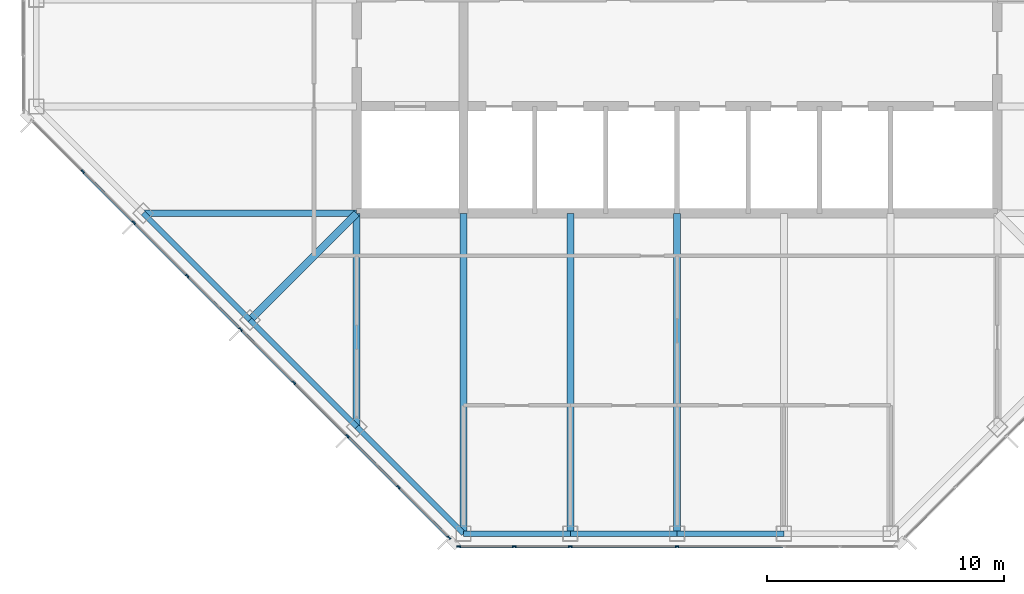
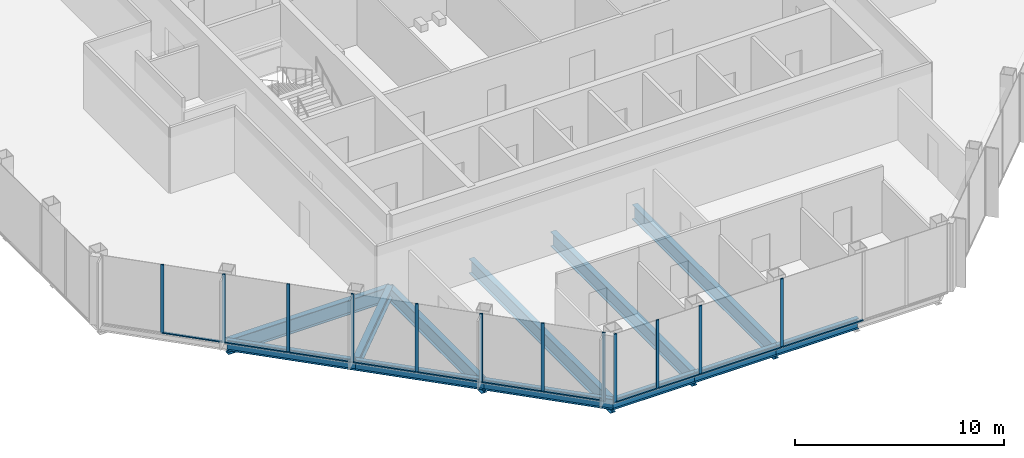
# One storey, part 2 of 14: 23 members, 12 beams, 2 elements without a shape of their own.
"""IFC4 building model written with IfcOpenShell, lengths in metres."""

import ifcopenshell
import ifcopenshell.guid

model = None  # the IFC model being written
_history = None  # IfcOwnerHistory: only IFC2X3 demands one
_inside = {}  # id of a spatial element -> (the spatial element, [elements in it])
_under = {}  # id of a project, library or spatial element -> (it, [spatial elements below it])
_declared = {}  # id of a project -> (the project, [libraries it declares])
_typed = {}  # id of a type object -> (the type object, [elements of that type])
_made_of = {}  # id of a material, layer set ... -> (it, [elements and type objects made of it])


def new_model(schema):
    """Start an empty IFC model of exactly this schema.

    Asked for "IFC4X3", IfcOpenShell would pick the latest addendum, in which some entities
    have other attributes; the version numbers below select the first issue.
    IFC2X3 requires an IfcOwnerHistory on every rooted entity: one is made here for all.
    """
    global model, _history
    if schema == "IFC4X3":
        model = ifcopenshell.file(schema_version=(4, 3, 0, 0))
    else:
        model = ifcopenshell.file(schema=schema)
    _inside.clear()
    _under.clear()
    _declared.clear()
    _typed.clear()
    _made_of.clear()
    _history = None
    if model.schema == "IFC2X3":
        org = make("IfcOrganization", Name="unknown")
        user = make(
            "IfcPersonAndOrganization",
            ThePerson=make("IfcPerson", FamilyName="unknown"),
            TheOrganization=org,
        )
        app = make(
            "IfcApplication",
            ApplicationDeveloper=org,
            Version="unknown",
            ApplicationFullName="unknown",
            ApplicationIdentifier="unknown",
        )
        _history = make(
            "IfcOwnerHistory",
            OwningUser=user,
            OwningApplication=app,
            ChangeAction="ADDED",
            CreationDate=0,
        )
    return model


def make(cls, **values):
    """One entity of the class cls with the attributes given. An attribute that is None is left unset."""
    return model.create_entity(
        cls, **{name: value for name, value in values.items() if value is not None}
    )


def rooted(cls, **values):
    """An entity with a GlobalId (a new one), such as an element, a storey or a relation."""
    return make(cls, GlobalId=ifcopenshell.guid.new(), OwnerHistory=_history, **values)


def si_unit(unit_type, name, prefix=None):
    """IfcSIUnit, for example si_unit("LENGTHUNIT", "METRE", prefix="MILLI")."""
    return make("IfcSIUnit", UnitType=unit_type, Prefix=prefix, Name=name)


def assignment(units):
    """IfcUnitAssignment: the units of a project."""
    return None if units is None else make("IfcUnitAssignment", Units=units)


def point(xyz):
    """IfcCartesianPoint."""
    return None if xyz is None else make("IfcCartesianPoint", Coordinates=xyz)


def direction(xyz):
    """IfcDirection."""
    return None if xyz is None else make("IfcDirection", DirectionRatios=xyz)


def frame(location, z_axis=None, x_axis=None):
    """IfcAxis2Placement3D, a coordinate frame: its origin and axes. An axis left out is left unset."""
    return make(
        "IfcAxis2Placement3D",
        Location=point(location),
        Axis=direction(z_axis),
        RefDirection=direction(x_axis),
    )


def frame_2d(location, x_axis=None):
    """IfcAxis2Placement2D, a coordinate frame in the plane: its origin and x axis."""
    return make(
        "IfcAxis2Placement2D", Location=point(location), RefDirection=direction(x_axis)
    )


def origin():
    """The frame at (0, 0, 0) with its axes left unset."""
    return frame((0.0, 0.0, 0.0))


def origin_2d():
    """The frame at (0, 0) in the plane with its x axis left unset."""
    return frame_2d((0.0, 0.0))


def place(relative_to, where):
    """IfcLocalPlacement: puts the frame where relative to a parent placement (None: the world)."""
    return make(
        "IfcLocalPlacement", PlacementRelTo=relative_to, RelativePlacement=where
    )


def context(
    kind, dimensions, precision=None, world=None, true_north=None, identifier=None
):
    """IfcGeometricRepresentationContext, for example the 3D "Model" context."""
    return make(
        "IfcGeometricRepresentationContext",
        ContextIdentifier=identifier,
        ContextType=kind,
        CoordinateSpaceDimension=dimensions,
        Precision=precision,
        WorldCoordinateSystem=world,
        TrueNorth=true_north,
    )


def subcontext(parent, identifier, kind, view, scale=None):
    """IfcGeometricRepresentationSubContext, for example "Body" below "Model"."""
    return make(
        "IfcGeometricRepresentationSubContext",
        ContextIdentifier=identifier,
        ContextType=kind,
        ParentContext=parent,
        TargetScale=scale,
        TargetView=view,
    )


def project(units=None, contexts=None):
    """IfcProject with its units and contexts."""
    return rooted(
        "IfcProject",
        Name="project",
        RepresentationContexts=contexts,
        UnitsInContext=assignment(units),
    )


def spatial(cls, under=None, at=None, **own):
    """A site, building, storey or space (cls), placed at a placement, below another one or the project."""
    s = rooted(cls, ObjectPlacement=at, **own)
    if under is not None:
        _under.setdefault(under.id(), (under, []))[1].append(s)
    return s


def profile(cls, at=None, kind="AREA", **sizes):
    """A parametric profile (cls). Its sizes go by their IFC names, for example OverallWidth=200.0."""
    return make(cls, ProfileType=kind, Position=at, **sizes)


def rectangle(**sizes):
    """IfcRectangleProfileDef."""
    return profile("IfcRectangleProfileDef", **sizes)


def i_section(**sizes):
    """IfcIShapeProfileDef."""
    return profile("IfcIShapeProfileDef", **sizes)


def extrude(swept, where, along, depth):
    """IfcExtrudedAreaSolid: the profile swept, set in the frame where, extruded along a direction by depth."""
    return make(
        "IfcExtrudedAreaSolid",
        SweptArea=swept,
        Position=where,
        ExtrudedDirection=direction(along),
        Depth=depth,
    )


def shape(context_of_items, identifier, shape_type, items):
    """IfcShapeRepresentation: the items that make up one representation, for example the "Body"."""
    return make(
        "IfcShapeRepresentation",
        ContextOfItems=context_of_items,
        RepresentationIdentifier=identifier,
        RepresentationType=shape_type,
        Items=items,
    )


def material(Name=None, Category=None):
    """IfcMaterial."""
    return make("IfcMaterial", Name=Name, Category=Category)


def material_profile(
    of_material, cross_section, Name=None, Category=None, Priority=None
):
    """IfcMaterialProfile: a cross section and its material."""
    return make(
        "IfcMaterialProfile",
        Name=Name,
        Material=of_material,
        Profile=cross_section,
        Priority=Priority,
        Category=Category,
    )


def profile_set(profiles, Name=None, composite=None):
    """IfcMaterialProfileSet."""
    return make(
        "IfcMaterialProfileSet",
        Name=Name,
        MaterialProfiles=profiles,
        CompositeProfile=composite,
    )


def made_of(thing, what):
    """Note that an element or type object is made of a material, layer set ...; save() writes the relation."""
    if what is not None:
        _made_of.setdefault(what.id(), (what, []))[1].append(thing)
    return thing


def type_object(cls, material=None, **own):
    """A type object (cls), such as IfcWallType, which elements share."""
    return made_of(rooted(cls, **own), material)


def element(
    cls,
    number,
    at=None,
    inside=None,
    cuts=None,
    type_object=None,
    material=None,
    context=None,
    identifier="Body",
    shape_type=None,
    held_by="IfcProductDefinitionShape",
    body=None,
    shapes=None,
    **own,
):
    """One element of the class cls, such as IfcWall. Its Tag is "e" and its number.

    at: its placement. inside: the storey or other place that contains it. cuts: it is an
    opening in that element (IfcRelVoidsElement). A single representation is given by context,
    identifier, shape_type and body (its items); several are given by shapes. held_by: the class
    of the entity that holds the representations. save() writes the other relations.
    """
    e = rooted(cls, Tag="e%d" % number, ObjectPlacement=at, **own)
    if body is not None:
        shapes = [shape(context, identifier, shape_type, body)]
    if shapes is not None:
        e.Representation = make(held_by, Representations=shapes)
    if inside is not None:
        _inside.setdefault(inside.id(), (inside, []))[1].append(e)
    if cuts is not None:
        rooted(
            "IfcRelVoidsElement", RelatingBuildingElement=cuts, RelatedOpeningElement=e
        )
    if type_object is not None:
        _typed.setdefault(type_object.id(), (type_object, []))[1].append(e)
    return made_of(e, material)


def aggregate(whole, parts):
    """IfcRelAggregates: a whole, such as a stair, and the parts it consists of."""
    return rooted("IfcRelAggregates", RelatingObject=whole, RelatedObjects=parts)


def save(model, path):
    """Write the relations noted so far, then the file.

    IfcRelAggregates (storeys below a building ...), IfcRelContainedInSpatialStructure (elements
    in a storey), IfcRelDefinesByType, IfcRelAssociatesMaterial and IfcRelDeclares: one each for
    every whole, place, type object, material and project.
    """
    for whole, parts in _under.values():
        aggregate(whole, parts)
    for where, things in _inside.values():
        rooted(
            "IfcRelContainedInSpatialStructure",
            RelatedElements=things,
            RelatingStructure=where,
        )
    for kind, things in _typed.values():
        rooted("IfcRelDefinesByType", RelatedObjects=things, RelatingType=kind)
    for what, things in _made_of.values():
        rooted("IfcRelAssociatesMaterial", RelatedObjects=things, RelatingMaterial=what)
    for by, libraries in _declared.values():
        rooted("IfcRelDeclares", RelatingContext=by, RelatedDefinitions=libraries)
    model.write(path)


model = new_model("IFC4")

# Units and contexts
model_context = context("Model", 3, precision=1e-05, world=origin(), true_north=direction((0.0, 1.0)))
body_context = subcontext(model_context, "Body", "Model", "MODEL_VIEW")
ifc_project = project(units=[si_unit("LENGTHUNIT", "METRE"), si_unit("AREAUNIT", "SQUARE_METRE"), si_unit("VOLUMEUNIT", "CUBIC_METRE"), si_unit("PLANEANGLEUNIT", "RADIAN"), si_unit("MASSUNIT", "GRAM", prefix="KILO")], contexts=[model_context])

# Site, building, storey
site_placement = place(None, origin())
site = spatial("IfcSite", under=ifc_project, at=site_placement, CompositionType="ELEMENT")
building_placement = place(site_placement, origin())
building = spatial("IfcBuilding", under=site, at=building_placement, Name="Corais Broadcast Tower", CompositionType="ELEMENT")
storey_placement = place(building_placement, frame((0.0, 0.0, 246.60009765625)))
storey = spatial("IfcBuildingStorey", under=building, at=storey_placement, Name="L57", CompositionType="ELEMENT", Elevation=246.60009765625)

# Beams
ifc_material_1 = material(Name="Steel ASTM A572 Grade 50", Category="steel")
ifc_material_profile_1 = material_profile(ifc_material_1, i_section(OverallWidth=0.323974609375, OverallDepth=0.611083984375, WebThickness=0.0126953125, FlangeThickness=0.01904296875, at=origin_2d()), Name="W610x155")
ifc_profile_set_1 = profile_set([ifc_material_profile_1], Name="Steel ASTM A572 Grade 50")
beam_type_1 = type_object("IfcBeamType", Name="Corner diagonal W610x155", PredefinedType="BEAM", material=ifc_profile_set_1)
beam_1_placement = place(storey_placement, frame((9.0, 9.0, -0.465576171875), z_axis=(0.707106781187, 0.707106781187, 0.0), x_axis=(-0.707106781187, 0.707106781187, 0.0)))
element("IfcBeam", 1, at=beam_1_placement, inside=storey, type_object=beam_type_1, Name="B6 C/5 to D/6", PredefinedType="BEAM", context=body_context, shape_type="SweptSolid", body=[
    extrude(i_section(OverallWidth=0.323974609375, OverallDepth=0.611083984375, WebThickness=0.0126953125, FlangeThickness=0.01904296875, at=origin_2d()), origin(), (0.0, 0.0, 1.0), 6.364013671875),
])
ifc_material_2 = material(Name="Steel ASTM A572 Grade 50", Category="steel")
ifc_material_profile_2 = material_profile(ifc_material_2, i_section(OverallWidth=0.2939453125, OverallDepth=0.85107421875, WebThickness=0.01611328125, FlangeThickness=0.02685546875, at=origin_2d()), Name="W840x226")
ifc_profile_set_2 = profile_set([ifc_material_profile_2], Name="Steel ASTM A572 Grade 50")
beam_type_2 = type_object("IfcBeamType", Name="Floor beam W840x226", PredefinedType="BEAM", material=ifc_profile_set_2)
beam_2_placement = place(storey_placement, frame((13.5, 4.5, -0.585693359375), z_axis=(0.0, 1.0, 0.0), x_axis=(-1.0, 0.0, 0.0)))
element("IfcBeam", 2, at=beam_2_placement, inside=storey, type_object=beam_type_2, Name="B1 B/6 to D/6", PredefinedType="BEAM", context=body_context, shape_type="SweptSolid", body=[
    extrude(i_section(OverallWidth=0.2939453125, OverallDepth=0.85107421875, WebThickness=0.01611328125, FlangeThickness=0.02685546875, at=origin_2d()), origin(), (0.0, 0.0, 1.0), 9.0),
])
for number, where, z_axis, x_axis, name in (
    (3, (18.0, 0.0, -0.585693359375), (0.0, 1.0, 0.0), (-1.0, 0.0, 0.0), "B1 A/7 to D/7"),
    (4, (22.5, 0.0, -0.585693359375), (0.0, 1.0, 0.0), (-1.0, 0.0, 0.0), "B1 A/8 to D/8"),
    (5, (27.0, 0.0, -0.585693359375), (0.0, 1.0, 0.0), (-1.0, 0.0, 0.0), "B1 A/9 to D/9"),
):
    element("IfcBeam", number, at=place(storey_placement, frame(where, z_axis=z_axis, x_axis=x_axis)), inside=storey, type_object=beam_type_2, Name=name, PredefinedType="BEAM", context=body_context, shape_type="SweptSolid", body=[
        extrude(i_section(OverallWidth=0.2939453125, OverallDepth=0.85107421875, WebThickness=0.01611328125, FlangeThickness=0.02685546875, at=origin_2d()), origin(), (0.0, 0.0, 1.0), 13.5),
    ])
beam_3_placement = place(storey_placement, frame((4.5, 13.5, -0.585693359375), z_axis=(1.0, 0.0, 0.0), x_axis=(0.0, 1.0, 0.0)))
element("IfcBeam", 6, at=beam_3_placement, inside=storey, type_object=beam_type_2, Name="B1 D/4 to D/6", PredefinedType="BEAM", context=body_context, shape_type="SweptSolid", body=[
    extrude(i_section(OverallWidth=0.2939453125, OverallDepth=0.85107421875, WebThickness=0.01611328125, FlangeThickness=0.02685546875, at=origin_2d()), origin(), (0.0, 0.0, 1.0), 9.0),
])

# Curtain wall, members
ifc_material_3 = material(Name="Aluminium and glass", Category="aluminium")
curtain_wall_type = type_object("IfcCurtainWallType", Name="Unitised fritted curtain wall CW3", PredefinedType="NOTDEFINED", material=ifc_material_3)
curtain_wall_1_placement = place(storey_placement, origin())
curtain_wall_1 = element("IfcCurtainWall", 7, at=curtain_wall_1_placement, inside=storey, type_object=curtain_wall_type, Name="CW3 curtain wall L57 1", PredefinedType="NOTDEFINED")
ifc_material_4 = material(Name="Aluminium 6063-T6", Category="aluminium")
ifc_material_profile_3 = material_profile(ifc_material_4, rectangle(XDim=0.06494140625, YDim=0.159912109375, at=origin_2d()), Name="Mullion CW3 65x160")
ifc_profile_set_3 = profile_set([ifc_material_profile_3], Name="Aluminium 6063-T6")
member_type_1 = type_object("IfcMemberType", Name="Mullion CW3 65x160", PredefinedType="MULLION", material=ifc_profile_set_3)
member_1_placement = place(storey_placement, frame((17.3955078125, -0.17333984375, 0.0), z_axis=(0.0, 0.0, 1.0), x_axis=(-0.707106781187, -0.707106781187, 0.0)))
member_1 = element("IfcMember", 8, at=member_1_placement, type_object=member_type_1, Name="CW3 mullion 1", PredefinedType="MULLION", context=body_context, shape_type="SweptSolid", body=[
    extrude(rectangle(XDim=0.06494140625, YDim=0.159912109375, at=origin_2d()), origin(), (0.0, 0.0, 1.0), 4.0),
])
member_2_placement = place(storey_placement, frame((15.264892578125, 1.957275390625, 0.0), z_axis=(0.0, 0.0, 1.0), x_axis=(-0.707106781187, -0.707106781187, 0.0)))
member_2 = element("IfcMember", 9, at=member_2_placement, type_object=member_type_1, Name="CW3 mullion 2", PredefinedType="MULLION", context=body_context, shape_type="SweptSolid", body=[
    extrude(rectangle(XDim=0.06494140625, YDim=0.159912109375, at=origin_2d()), origin(), (0.0, 0.0, 1.0), 4.0),
])
member_3_placement = place(storey_placement, frame((13.111083984375, 4.111083984375, 0.0), z_axis=(0.0, 0.0, 1.0), x_axis=(-0.707106781187, -0.707106781187, 0.0)))
member_3 = element("IfcMember", 10, at=member_3_placement, type_object=member_type_1, Name="CW3 mullion 3", PredefinedType="MULLION", context=body_context, shape_type="SweptSolid", body=[
    extrude(rectangle(XDim=0.06494140625, YDim=0.159912109375, at=origin_2d()), origin(), (0.0, 0.0, 1.0), 4.0),
])
member_4_placement = place(storey_placement, frame((10.861083984375, 6.361083984375, 0.0), z_axis=(0.0, 0.0, 1.0), x_axis=(-0.707106781187, -0.707106781187, 0.0)))
member_4 = element("IfcMember", 11, at=member_4_placement, type_object=member_type_1, Name="CW3 mullion 4", PredefinedType="MULLION", context=body_context, shape_type="SweptSolid", body=[
    extrude(rectangle(XDim=0.06494140625, YDim=0.159912109375, at=origin_2d()), origin(), (0.0, 0.0, 1.0), 4.0),
])
member_5_placement = place(storey_placement, frame((8.611083984375, 8.611083984375, 0.0), z_axis=(0.0, 0.0, 1.0), x_axis=(-0.707106781187, -0.707106781187, 0.0)))
member_5 = element("IfcMember", 12, at=member_5_placement, type_object=member_type_1, Name="CW3 mullion 5", PredefinedType="MULLION", context=body_context, shape_type="SweptSolid", body=[
    extrude(rectangle(XDim=0.06494140625, YDim=0.159912109375, at=origin_2d()), origin(), (0.0, 0.0, 1.0), 4.0),
])
member_6_placement = place(storey_placement, frame((6.361083984375, 10.861083984375, 0.0), z_axis=(0.0, 0.0, 1.0), x_axis=(-0.707106781187, -0.707106781187, 0.0)))
member_6 = element("IfcMember", 13, at=member_6_placement, type_object=member_type_1, Name="CW3 mullion 6", PredefinedType="MULLION", context=body_context, shape_type="SweptSolid", body=[
    extrude(rectangle(XDim=0.06494140625, YDim=0.159912109375, at=origin_2d()), origin(), (0.0, 0.0, 1.0), 4.0),
])
member_7_placement = place(storey_placement, frame((4.111083984375, 13.111083984375, 0.0), z_axis=(0.0, 0.0, 1.0), x_axis=(-0.707106781187, -0.707106781187, 0.0)))
member_7 = element("IfcMember", 14, at=member_7_placement, type_object=member_type_1, Name="CW3 mullion 7", PredefinedType="MULLION", context=body_context, shape_type="SweptSolid", body=[
    extrude(rectangle(XDim=0.06494140625, YDim=0.159912109375, at=origin_2d()), origin(), (0.0, 0.0, 1.0), 4.0),
])
member_8_placement = place(storey_placement, frame((1.957275390625, 15.264892578125, 0.0), z_axis=(0.0, 0.0, 1.0), x_axis=(-0.707106781187, -0.707106781187, 0.0)))
member_8 = element("IfcMember", 15, at=member_8_placement, type_object=member_type_1, Name="CW3 mullion 8", PredefinedType="MULLION", context=body_context, shape_type="SweptSolid", body=[
    extrude(rectangle(XDim=0.06494140625, YDim=0.159912109375, at=origin_2d()), origin(), (0.0, 0.0, 1.0), 4.0),
])

curtain_wall_2_placement = place(storey_placement, origin())
curtain_wall_2 = element("IfcCurtainWall", 16, at=curtain_wall_2_placement, inside=storey, type_object=curtain_wall_type, Name="CW3 curtain wall L57 8", PredefinedType="NOTDEFINED")
member_9_placement = place(storey_placement, frame((27.0, -0.550048828125, 0.0), z_axis=(0.0, 0.0, 1.0), x_axis=(0.0, -1.0, 0.0)))
member_9 = element("IfcMember", 17, at=member_9_placement, type_object=member_type_1, Name="CW3 mullion 4", PredefinedType="MULLION", context=body_context, shape_type="SweptSolid", body=[
    extrude(rectangle(XDim=0.06494140625, YDim=0.159912109375, at=origin_2d()), origin(), (0.0, 0.0, 1.0), 4.0),
])
member_10_placement = place(storey_placement, frame((22.5, -0.550048828125, 0.0), z_axis=(0.0, 0.0, 1.0), x_axis=(0.0, -1.0, 0.0)))
member_10 = element("IfcMember", 18, at=member_10_placement, type_object=member_type_1, Name="CW3 mullion 5", PredefinedType="MULLION", context=body_context, shape_type="SweptSolid", body=[
    extrude(rectangle(XDim=0.06494140625, YDim=0.159912109375, at=origin_2d()), origin(), (0.0, 0.0, 1.0), 4.0),
])
member_11_placement = place(storey_placement, frame((20.135986328125, -0.550048828125, 0.0), z_axis=(0.0, 0.0, 1.0), x_axis=(0.0, -1.0, 0.0)))
member_11 = element("IfcMember", 19, at=member_11_placement, type_object=member_type_1, Name="CW3 mullion 6", PredefinedType="MULLION", context=body_context, shape_type="SweptSolid", body=[
    extrude(rectangle(XDim=0.06494140625, YDim=0.159912109375, at=origin_2d()), origin(), (0.0, 0.0, 1.0), 4.0),
])
member_12_placement = place(storey_placement, frame((17.8046875, -0.550048828125, 0.0), z_axis=(0.0, 0.0, 1.0), x_axis=(0.0, -1.0, 0.0)))
member_12 = element("IfcMember", 20, at=member_12_placement, type_object=member_type_1, Name="CW3 mullion 7", PredefinedType="MULLION", context=body_context, shape_type="SweptSolid", body=[
    extrude(rectangle(XDim=0.06494140625, YDim=0.159912109375, at=origin_2d()), origin(), (0.0, 0.0, 1.0), 4.0),
])

# Beams
ifc_material_5 = material(Name="Steel ASTM A572 Grade 50", Category="steel")
ifc_material_profile_4 = material_profile(ifc_material_5, i_section(OverallWidth=0.22998046875, OverallDepth=0.616943359375, WebThickness=0.01318359375, FlangeThickness=0.022216796875, at=origin_2d()), Name="W610x140")
ifc_profile_set_4 = profile_set([ifc_material_profile_4], Name="Steel ASTM A572 Grade 50")
beam_type_3 = type_object("IfcBeamType", Name="Spandrel W610x140", PredefinedType="BEAM", material=ifc_profile_set_4)
beam_4_placement = place(storey_placement, frame((13.5, 4.5, -0.468505859375), z_axis=(0.707106781187, -0.707106781187, 0.0), x_axis=(0.707106781187, 0.707106781187, 0.0)))
element("IfcBeam", 21, at=beam_4_placement, inside=storey, type_object=beam_type_3, Name="SB3 B/6 to A/7", PredefinedType="BEAM", context=body_context, shape_type="SweptSolid", body=[
    extrude(i_section(OverallWidth=0.22998046875, OverallDepth=0.616943359375, WebThickness=0.01318359375, FlangeThickness=0.022216796875, at=origin_2d()), origin(), (0.0, 0.0, 1.0), 6.364013671875),
])
for number, where, z_axis, x_axis, name in (
    (22, (18.0, 0.0, -0.468505859375), (1.0, 0.0, 0.0), (0.0, 1.0, 0.0), "SB3 A/7 to A/8"),
    (23, (22.5, 0.0, -0.468505859375), (1.0, 0.0, 0.0), (0.0, 1.0, 0.0), "SB3 A/8 to A/9"),
    (24, (27.0, 0.0, -0.468505859375), (1.0, 0.0, 0.0), (0.0, 1.0, 0.0), "SB3 A/9 to A/10"),
):
    element("IfcBeam", number, at=place(storey_placement, frame(where, z_axis=z_axis, x_axis=x_axis)), inside=storey, type_object=beam_type_3, Name=name, PredefinedType="BEAM", context=body_context, shape_type="SweptSolid", body=[
        extrude(i_section(OverallWidth=0.22998046875, OverallDepth=0.616943359375, WebThickness=0.01318359375, FlangeThickness=0.022216796875, at=origin_2d()), origin(), (0.0, 0.0, 1.0), 4.5),
    ])
for number, where, z_axis, x_axis, name in (
    (25, (4.5, 13.5, -0.468505859375), (0.707106781187, -0.707106781187, 0.0), (0.707106781187, 0.707106781187, 0.0), "SB3 D/4 to C/5"),
    (26, (9.0, 9.0, -0.468505859375), (0.707106781187, -0.707106781187, 0.0), (0.707106781187, 0.707106781187, 0.0), "SB3 C/5 to B/6"),
):
    element("IfcBeam", number, at=place(storey_placement, frame(where, z_axis=z_axis, x_axis=x_axis)), inside=storey, type_object=beam_type_3, Name=name, PredefinedType="BEAM", context=body_context, shape_type="SweptSolid", body=[
        extrude(i_section(OverallWidth=0.22998046875, OverallDepth=0.616943359375, WebThickness=0.01318359375, FlangeThickness=0.022216796875, at=origin_2d()), origin(), (0.0, 0.0, 1.0), 6.364013671875),
    ])

# Member
ifc_material_6 = material(Name="Aluminium 6063-T6", Category="aluminium")
ifc_material_profile_5 = material_profile(ifc_material_6, rectangle(XDim=0.1201171875, YDim=0.06494140625, at=origin_2d()), Name="Transom CW3 65x120")
ifc_profile_set_5 = profile_set([ifc_material_profile_5], Name="Aluminium 6063-T6")
member_type_2 = type_object("IfcMemberType", Name="Transom CW3 65x120", PredefinedType="USERDEFINED", material=ifc_profile_set_5)
member_13_placement = place(storey_placement, frame((17.37255859375, -0.150390625, 0.032470703125), z_axis=(-0.707106781187, 0.707106781187, 0.0), x_axis=(-0.707106781187, -0.707106781187, 0.0)))
member_13 = element("IfcMember", 27, at=member_13_placement, type_object=member_type_2, Name="CW3 transom 1.1", ObjectType="TRANSOM", PredefinedType="USERDEFINED", context=body_context, shape_type="SweptSolid", body=[
    extrude(rectangle(XDim=0.1201171875, YDim=0.06494140625, at=origin_2d()), origin(), (0.0, 0.0, 1.0), 2.9482421875),
])

member_14_placement = place(storey_placement, frame((15.241943359375, 1.980224609375, 0.032470703125), z_axis=(-0.707106781187, 0.707106781187, 0.0), x_axis=(-0.707106781187, -0.707106781187, 0.0)))
member_14 = element("IfcMember", 28, at=member_14_placement, type_object=member_type_2, Name="CW3 transom 2.1", ObjectType="TRANSOM", PredefinedType="USERDEFINED", context=body_context, shape_type="SweptSolid", body=[
    extrude(rectangle(XDim=0.1201171875, YDim=0.06494140625, at=origin_2d()), origin(), (0.0, 0.0, 1.0), 2.98095703125),
])

member_15_placement = place(storey_placement, frame((13.088134765625, 4.134033203125, 0.032470703125), z_axis=(-0.707106781187, 0.707106781187, 0.0), x_axis=(-0.707106781187, -0.707106781187, 0.0)))
member_15 = element("IfcMember", 29, at=member_15_placement, type_object=member_type_2, Name="CW3 transom 3.1", ObjectType="TRANSOM", PredefinedType="USERDEFINED", context=body_context, shape_type="SweptSolid", body=[
    extrude(rectangle(XDim=0.1201171875, YDim=0.06494140625, at=origin_2d()), origin(), (0.0, 0.0, 1.0), 3.1171875),
])

member_16_placement = place(storey_placement, frame((10.838134765625, 6.384033203125, 0.032470703125), z_axis=(-0.707106781187, 0.707106781187, 0.0), x_axis=(-0.707106781187, -0.707106781187, 0.0)))
member_16 = element("IfcMember", 30, at=member_16_placement, type_object=member_type_2, Name="CW3 transom 4.1", ObjectType="TRANSOM", PredefinedType="USERDEFINED", context=body_context, shape_type="SweptSolid", body=[
    extrude(rectangle(XDim=0.1201171875, YDim=0.06494140625, at=origin_2d()), origin(), (0.0, 0.0, 1.0), 3.1171875),
])

member_17_placement = place(storey_placement, frame((8.588134765625, 8.634033203125, 0.032470703125), z_axis=(-0.707106781187, 0.707106781187, 0.0), x_axis=(-0.707106781187, -0.707106781187, 0.0)))
member_17 = element("IfcMember", 31, at=member_17_placement, type_object=member_type_2, Name="CW3 transom 5.1", ObjectType="TRANSOM", PredefinedType="USERDEFINED", context=body_context, shape_type="SweptSolid", body=[
    extrude(rectangle(XDim=0.1201171875, YDim=0.06494140625, at=origin_2d()), origin(), (0.0, 0.0, 1.0), 3.1171875),
])

member_18_placement = place(storey_placement, frame((6.338134765625, 10.884033203125, 0.032470703125), z_axis=(-0.707106781187, 0.707106781187, 0.0), x_axis=(-0.707106781187, -0.707106781187, 0.0)))
member_18 = element("IfcMember", 32, at=member_18_placement, type_object=member_type_2, Name="CW3 transom 6.1", ObjectType="TRANSOM", PredefinedType="USERDEFINED", context=body_context, shape_type="SweptSolid", body=[
    extrude(rectangle(XDim=0.1201171875, YDim=0.06494140625, at=origin_2d()), origin(), (0.0, 0.0, 1.0), 3.1171875),
])

member_19_placement = place(storey_placement, frame((4.088134765625, 13.134033203125, 0.032470703125), z_axis=(-0.707065828661, 0.70714773134, 0.0), x_axis=(-0.70714773134, -0.707065828661, 0.0)))
member_19 = element("IfcMember", 33, at=member_19_placement, type_object=member_type_2, Name="CW3 transom 7.1", ObjectType="TRANSOM", PredefinedType="USERDEFINED", context=body_context, shape_type="SweptSolid", body=[
    extrude(rectangle(XDim=0.1201171875, YDim=0.06494140625, at=origin_2d()), origin(), (0.0, 0.0, 1.0), 2.98095703125),
])

aggregate(curtain_wall_1, [member_1, member_2, member_3, member_4, member_5, member_6, member_7, member_8, member_13, member_14, member_15, member_16, member_17, member_18, member_19])

member_20_placement = place(storey_placement, frame((31.467529296875, -0.550048828125, 0.032470703125), z_axis=(-1.0, 0.0, 0.0), x_axis=(0.0, -1.0, 0.0)))
member_20 = element("IfcMember", 34, at=member_20_placement, type_object=member_type_2, Name="CW3 transom 3.1", ObjectType="TRANSOM", PredefinedType="USERDEFINED", context=body_context, shape_type="SweptSolid", body=[
    extrude(rectangle(XDim=0.1201171875, YDim=0.06494140625, at=origin_2d()), origin(), (0.0, 0.0, 1.0), 4.43505859375),
])

member_21_placement = place(storey_placement, frame((26.967529296875, -0.550048828125, 0.032470703125), z_axis=(-1.0, 0.0, 0.0), x_axis=(0.0, -1.0, 0.0)))
member_21 = element("IfcMember", 35, at=member_21_placement, type_object=member_type_2, Name="CW3 transom 4.1", ObjectType="TRANSOM", PredefinedType="USERDEFINED", context=body_context, shape_type="SweptSolid", body=[
    extrude(rectangle(XDim=0.1201171875, YDim=0.06494140625, at=origin_2d()), origin(), (0.0, 0.0, 1.0), 4.43505859375),
])

member_22_placement = place(storey_placement, frame((22.467529296875, -0.550048828125, 0.032470703125), z_axis=(-1.0, 0.0, 0.0), x_axis=(0.0, -1.0, 0.0)))
member_22 = element("IfcMember", 36, at=member_22_placement, type_object=member_type_2, Name="CW3 transom 5.1", ObjectType="TRANSOM", PredefinedType="USERDEFINED", context=body_context, shape_type="SweptSolid", body=[
    extrude(rectangle(XDim=0.1201171875, YDim=0.06494140625, at=origin_2d()), origin(), (0.0, 0.0, 1.0), 2.298828125),
])

member_23_placement = place(storey_placement, frame((20.103515625, -0.550048828125, 0.032470703125), z_axis=(-1.0, 0.0, 0.0), x_axis=(0.0, -1.0, 0.0)))
member_23 = element("IfcMember", 37, at=member_23_placement, type_object=member_type_2, Name="CW3 transom 6.1", ObjectType="TRANSOM", PredefinedType="USERDEFINED", context=body_context, shape_type="SweptSolid", body=[
    extrude(rectangle(XDim=0.1201171875, YDim=0.06494140625, at=origin_2d()), origin(), (0.0, 0.0, 1.0), 2.266357421875),
])

aggregate(curtain_wall_2, [member_9, member_10, member_11, member_12, member_20, member_21, member_22, member_23])

save(model, "model.ifc")
